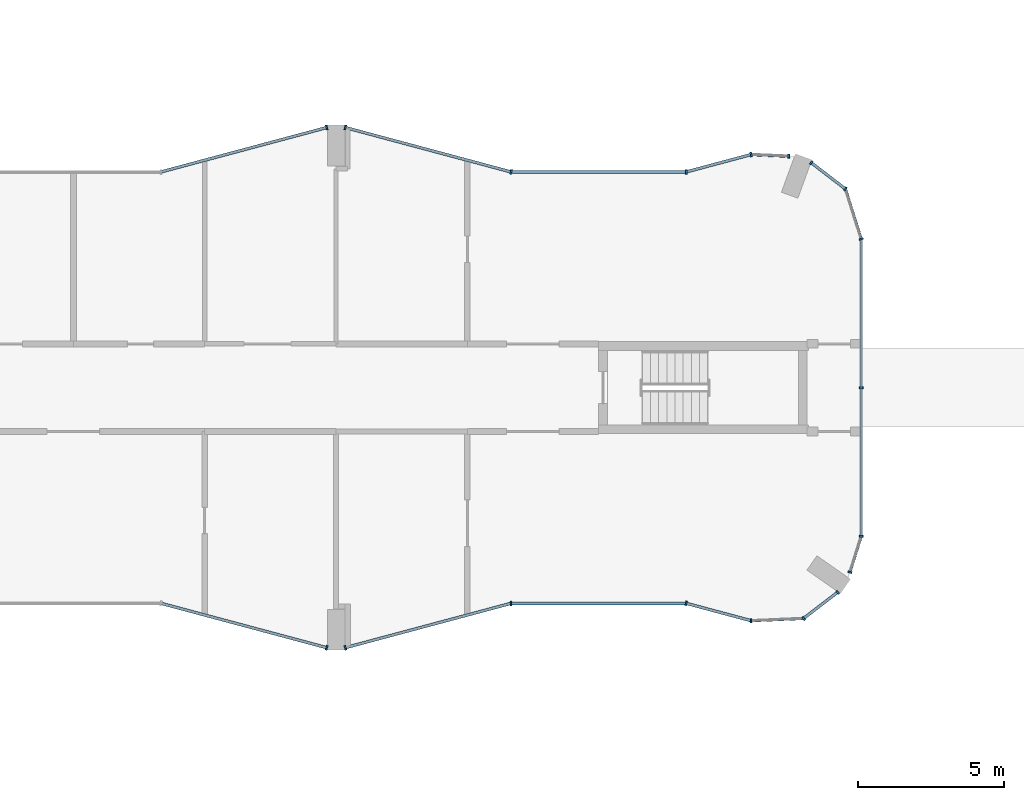
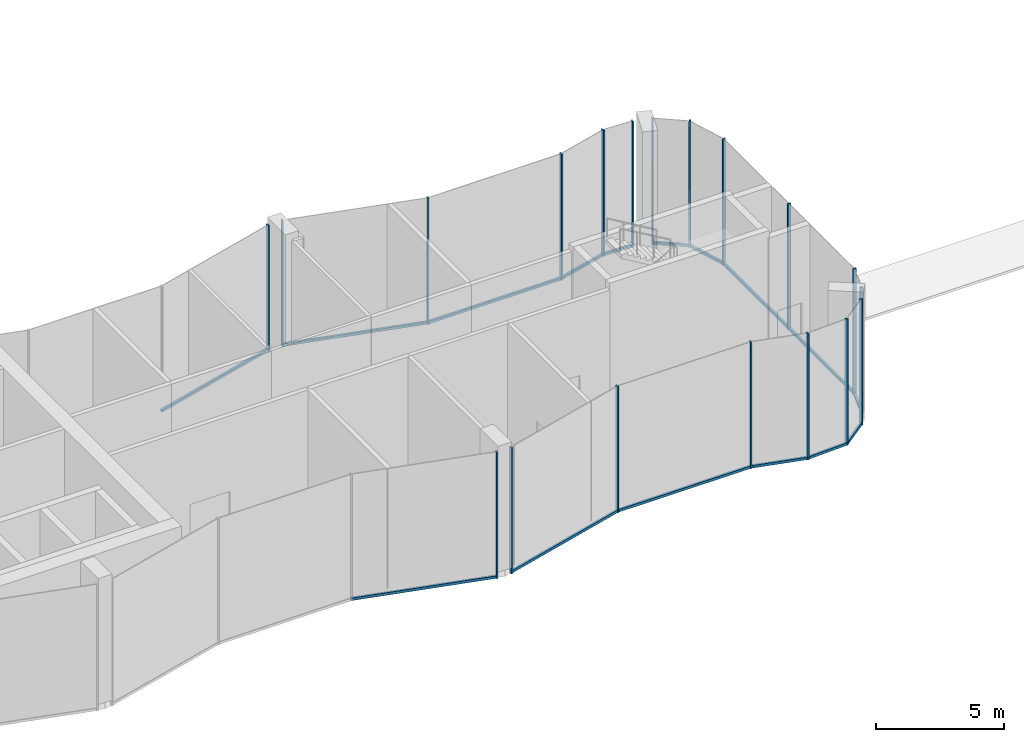
# One storey, part 5 of 19: 34 members, 15 elements without a shape of their own.
"""IFC4 building model written with IfcOpenShell, lengths in metres."""

from ifc_helpers import new_model, si_unit, direction, frame, origin, origin_2d, place, context, subcontext, project, spatial, rectangle, extrude, material, layer, layer_set, material_profile, profile_set, type_object, element, aggregate, save


model = new_model("IFC4")

# Units and contexts
model_context = context("Model", 3, precision=1e-05, world=origin(), true_north=direction((0.0, 1.0)))
body_context = subcontext(model_context, "Body", "Model", "MODEL_VIEW")
ifc_project = project(units=[si_unit("LENGTHUNIT", "METRE"), si_unit("AREAUNIT", "SQUARE_METRE"), si_unit("VOLUMEUNIT", "CUBIC_METRE"), si_unit("PLANEANGLEUNIT", "RADIAN"), si_unit("MASSUNIT", "GRAM", prefix="KILO")], contexts=[model_context])

# Site, building, storey
site_placement = place(None, origin())
site = spatial("IfcSite", under=ifc_project, at=site_placement, CompositionType="ELEMENT")
building_placement = place(site_placement, origin())
building = spatial("IfcBuilding", under=site, at=building_placement, Name="Plateau Cross Towers", CompositionType="ELEMENT")
storey_placement = place(building_placement, frame((0.0, 0.0, 128.60009765625)))
storey = spatial("IfcBuildingStorey", under=building, at=storey_placement, Name="L33", CompositionType="ELEMENT", Elevation=128.60009765625)

# Curtain wall, member
ifc_material_1 = material(Name="Dark low-iron glass", Category="glass")
ifc_layer_1 = layer(ifc_material_1, 0.239990234375)
ifc_layer_set_1 = layer_set([ifc_layer_1], Name="Dark low-iron glass")
curtain_wall_type_1 = type_object("IfcCurtainWallType", Name="Curtain wall flush unitised CW-B", PredefinedType="NOTDEFINED", material=ifc_layer_set_1)
curtain_wall_1_placement = place(storey_placement, origin())
curtain_wall_1 = element("IfcCurtainWall", 1, at=curtain_wall_1_placement, inside=storey, type_object=curtain_wall_type_1, Name="ENV/A/L33/A502_10", PredefinedType="NOTDEFINED")
ifc_material_2 = material(Name="Black anodised aluminium", Category="aluminium")
ifc_material_profile_1 = material_profile(ifc_material_2, rectangle(XDim=0.06005859375, YDim=0.139892578125, at=origin_2d()), Name="MULLION 60x140")
ifc_profile_set_1 = profile_set([ifc_material_profile_1], Name="Black anodised aluminium")
member_type_1 = type_object("IfcMemberType", Name="Mullion 60x140 flush unitised", PredefinedType="MULLION", material=ifc_profile_set_1)
member_1_placement = place(storey_placement, frame((50.223876953125, 1.01123046875, -0.300048828125), z_axis=(0.0, 0.0, 1.0), x_axis=(0.999043701491, 0.043722791671, 0.0)))
member_1 = element("IfcMember", 2, at=member_1_placement, type_object=member_type_1, Name="CW-B mullion 1", PredefinedType="MULLION", context=body_context, shape_type="SweptSolid", body=[
    extrude(rectangle(XDim=0.06005859375, YDim=0.139892578125, at=origin_2d()), origin(), (0.0, 0.0, 1.0), 6.0),
])

# Curtain wall, members
curtain_wall_2_placement = place(storey_placement, origin())
curtain_wall_2 = element("IfcCurtainWall", 3, at=curtain_wall_2_placement, inside=storey, type_object=curtain_wall_type_1, Name="ENV/A/L33/A520_11", PredefinedType="NOTDEFINED")
member_2_placement = place(storey_placement, frame((52.0263671875, 1.090087890625, -0.300048828125), z_axis=(0.0, 0.0, 1.0), x_axis=(0.793315514529, 0.608810721331, 0.0)))
member_2 = element("IfcMember", 4, at=member_2_placement, type_object=member_type_1, Name="CW-B mullion 1", PredefinedType="MULLION", context=body_context, shape_type="SweptSolid", body=[
    extrude(rectangle(XDim=0.06005859375, YDim=0.139892578125, at=origin_2d()), origin(), (0.0, 0.0, 1.0), 6.0),
])
member_3_placement = place(storey_placement, frame((53.193603515625, 1.986083984375, -0.300048828125), z_axis=(0.0, 0.0, 1.0), x_axis=(0.793315514529, 0.608810721331, 0.0)))
member_3 = element("IfcMember", 5, at=member_3_placement, type_object=member_type_1, Name="CW-B mullion 2", PredefinedType="MULLION", context=body_context, shape_type="SweptSolid", body=[
    extrude(rectangle(XDim=0.06005859375, YDim=0.139892578125, at=origin_2d()), origin(), (0.0, 0.0, 1.0), 6.0),
])

# Curtain wall, member
curtain_wall_3_placement = place(storey_placement, origin())
curtain_wall_3 = element("IfcCurtainWall", 6, at=curtain_wall_3_placement, inside=storey, type_object=curtain_wall_type_1, Name="ENV/A/L33/A536_27", PredefinedType="NOTDEFINED")
member_4_placement = place(storey_placement, frame((53.611083984375, 2.67529296875, -0.300048828125), z_axis=(0.0, 0.0, 1.0), x_axis=(0.300686174994, 0.95372313811, 0.0)))
member_4 = element("IfcMember", 7, at=member_4_placement, type_object=member_type_1, Name="CW-B mullion 1", PredefinedType="MULLION", context=body_context, shape_type="SweptSolid", body=[
    extrude(rectangle(XDim=0.06005859375, YDim=0.139892578125, at=origin_2d()), origin(), (0.0, 0.0, 1.0), 6.0),
])

# Curtain wall, members
curtain_wall_4_placement = place(storey_placement, origin())
curtain_wall_4 = element("IfcCurtainWall", 8, at=curtain_wall_4_placement, inside=storey, type_object=curtain_wall_type_1, Name="ENV/A/L33/A540_39", PredefinedType="NOTDEFINED")
member_5_placement = place(storey_placement, frame((54.0, 3.9091796875, -0.300048828125), z_axis=(0.0, 0.0, 1.0), x_axis=(0.0, 1.0, 0.0)))
member_5 = element("IfcMember", 9, at=member_5_placement, type_object=member_type_1, Name="CW-B mullion 1", PredefinedType="MULLION", context=body_context, shape_type="SweptSolid", body=[
    extrude(rectangle(XDim=0.06005859375, YDim=0.139892578125, at=origin_2d()), origin(), (0.0, 0.0, 1.0), 6.0),
])
member_6_placement = place(storey_placement, frame((54.0, 9.0, -0.300048828125), z_axis=(0.0, 0.0, 1.0), x_axis=(0.0, 1.0, 0.0)))
member_6 = element("IfcMember", 10, at=member_6_placement, type_object=member_type_1, Name="CW-B mullion 2", PredefinedType="MULLION", context=body_context, shape_type="SweptSolid", body=[
    extrude(rectangle(XDim=0.06005859375, YDim=0.139892578125, at=origin_2d()), origin(), (0.0, 0.0, 1.0), 6.0),
])

# Curtain wall, member
curtain_wall_5_placement = place(storey_placement, origin())
curtain_wall_5 = element("IfcCurtainWall", 11, at=curtain_wall_5_placement, inside=storey, type_object=curtain_wall_type_1, Name="ENV/A/L33/A540_141", PredefinedType="NOTDEFINED")
member_7_placement = place(storey_placement, frame((54.0, 14.0908203125, -0.300048828125), z_axis=(0.0, 0.0, 1.0), x_axis=(-0.300686174994, 0.95372313811, 0.0)))
member_7 = element("IfcMember", 12, at=member_7_placement, type_object=member_type_1, Name="CW-B mullion 1", PredefinedType="MULLION", context=body_context, shape_type="SweptSolid", body=[
    extrude(rectangle(XDim=0.06005859375, YDim=0.139892578125, at=origin_2d()), origin(), (0.0, 0.0, 1.0), 6.0),
])

# Curtain wall, members
curtain_wall_6_placement = place(storey_placement, origin())
curtain_wall_6 = element("IfcCurtainWall", 13, at=curtain_wall_6_placement, inside=storey, type_object=curtain_wall_type_1, Name="ENV/A/L33/A535_158", PredefinedType="NOTDEFINED")
member_8_placement = place(storey_placement, frame((53.45751953125, 15.8115234375, -0.300048828125), z_axis=(0.0, 0.0, 1.0), x_axis=(-0.793315514529, 0.608810721331, 0.0)))
member_8 = element("IfcMember", 14, at=member_8_placement, type_object=member_type_1, Name="CW-B mullion 1", PredefinedType="MULLION", context=body_context, shape_type="SweptSolid", body=[
    extrude(rectangle(XDim=0.06005859375, YDim=0.139892578125, at=origin_2d()), origin(), (0.0, 0.0, 1.0), 6.0),
])
member_9_placement = place(storey_placement, frame((52.290283203125, 16.707275390625, -0.300048828125), z_axis=(0.0, 0.0, 1.0), x_axis=(-0.793315514529, 0.608810721331, 0.0)))
member_9 = element("IfcMember", 15, at=member_9_placement, type_object=member_type_1, Name="CW-B mullion 2", PredefinedType="MULLION", context=body_context, shape_type="SweptSolid", body=[
    extrude(rectangle(XDim=0.06005859375, YDim=0.139892578125, at=origin_2d()), origin(), (0.0, 0.0, 1.0), 6.0),
])

# Curtain wall, member
curtain_wall_7_placement = place(storey_placement, origin())
curtain_wall_7 = element("IfcCurtainWall", 16, at=curtain_wall_7_placement, inside=storey, type_object=curtain_wall_type_1, Name="ENV/A/L33/A515_169", PredefinedType="NOTDEFINED")
member_10_placement = place(storey_placement, frame((51.516357421875, 16.93212890625, -0.300048828125), z_axis=(0.0, 0.0, 1.0), x_axis=(-0.999043701491, 0.043722791671, 0.0)))
member_10 = element("IfcMember", 17, at=member_10_placement, type_object=member_type_1, Name="CW-B mullion 1", PredefinedType="MULLION", context=body_context, shape_type="SweptSolid", body=[
    extrude(rectangle(XDim=0.06005859375, YDim=0.139892578125, at=origin_2d()), origin(), (0.0, 0.0, 1.0), 6.0),
])

ifc_layer_2 = layer(ifc_material_1, 0.260009765625)
ifc_layer_set_2 = layer_set([ifc_layer_2], Name="Dark low-iron glass")
curtain_wall_type_2 = type_object("IfcCurtainWallType", Name="Curtain wall fluted unitised CW-A", PredefinedType="NOTDEFINED", material=ifc_layer_set_2)
curtain_wall_8_placement = place(storey_placement, origin())
curtain_wall_8 = element("IfcCurtainWall", 18, at=curtain_wall_8_placement, inside=storey, type_object=curtain_wall_type_2, Name="ENV/A/L33/A300_16", PredefinedType="NOTDEFINED")
ifc_material_profile_2 = material_profile(ifc_material_2, rectangle(XDim=0.06005859375, YDim=0.159912109375, at=origin_2d()), Name="MULLION 60x160")
ifc_profile_set_2 = profile_set([ifc_material_profile_2], Name="Black anodised aluminium")
member_type_2 = type_object("IfcMemberType", Name="Mullion 60x160 fluted unitised", PredefinedType="MULLION", material=ifc_profile_set_2)
member_11_placement = place(storey_placement, frame((35.68212890625, 0.085205078125, -0.300048828125), z_axis=(0.0, 0.0, 1.0), x_axis=(0.965957983404, -0.258699003279, 0.0)))
member_11 = element("IfcMember", 19, at=member_11_placement, type_object=member_type_2, Name="CW-A mullion 2", PredefinedType="MULLION", context=body_context, shape_type="SweptSolid", body=[
    extrude(rectangle(XDim=0.06005859375, YDim=0.159912109375, at=origin_2d()), origin(), (0.0, 0.0, 1.0), 6.0),
])

curtain_wall_9_placement = place(storey_placement, origin())
curtain_wall_9 = element("IfcCurtainWall", 20, at=curtain_wall_9_placement, inside=storey, type_object=curtain_wall_type_2, Name="ENV/A/L33/A363_1", PredefinedType="NOTDEFINED")
member_12_placement = place(storey_placement, frame((36.31787109375, 0.085205078125, -0.300048828125), z_axis=(0.0, 0.0, 1.0), x_axis=(0.965957983404, 0.258699003279, 0.0)))
member_12 = element("IfcMember", 21, at=member_12_placement, type_object=member_type_2, Name="CW-A mullion 1", PredefinedType="MULLION", context=body_context, shape_type="SweptSolid", body=[
    extrude(rectangle(XDim=0.06005859375, YDim=0.159912109375, at=origin_2d()), origin(), (0.0, 0.0, 1.0), 6.0),
])

curtain_wall_10_placement = place(storey_placement, origin())
curtain_wall_10 = element("IfcCurtainWall", 22, at=curtain_wall_10_placement, inside=storey, type_object=curtain_wall_type_2, Name="ENV/A/L33/A420_16", PredefinedType="NOTDEFINED")
member_13_placement = place(storey_placement, frame((42.0, 1.60693359375, -0.300048828125), z_axis=(0.0, 0.0, 1.0), x_axis=(1.0, 0.0, 0.0)))
member_13 = element("IfcMember", 23, at=member_13_placement, type_object=member_type_2, Name="CW-A mullion 1", PredefinedType="MULLION", context=body_context, shape_type="SweptSolid", body=[
    extrude(rectangle(XDim=0.06005859375, YDim=0.159912109375, at=origin_2d()), origin(), (0.0, 0.0, 1.0), 6.0),
])

curtain_wall_11_placement = place(storey_placement, origin())
curtain_wall_11 = element("IfcCurtainWall", 24, at=curtain_wall_11_placement, inside=storey, type_object=curtain_wall_type_2, Name="ENV/A/L33/A480_16", PredefinedType="NOTDEFINED")
member_14_placement = place(storey_placement, frame((48.0, 1.60693359375, -0.300048828125), z_axis=(0.0, 0.0, 1.0), x_axis=(0.965957962328, -0.258699081978, 0.0)))
member_14 = element("IfcMember", 25, at=member_14_placement, type_object=member_type_2, Name="CW-A mullion 1", PredefinedType="MULLION", context=body_context, shape_type="SweptSolid", body=[
    extrude(rectangle(XDim=0.06005859375, YDim=0.159912109375, at=origin_2d()), origin(), (0.0, 0.0, 1.0), 6.0),
])

curtain_wall_12_placement = place(storey_placement, origin())
curtain_wall_12 = element("IfcCurtainWall", 26, at=curtain_wall_12_placement, inside=storey, type_object=curtain_wall_type_2, Name="ENV/A/L33/A502_170", PredefinedType="NOTDEFINED")
member_15_placement = place(storey_placement, frame((50.223876953125, 16.98876953125, -0.300048828125), z_axis=(0.0, 0.0, 1.0), x_axis=(-0.965957962328, -0.258699081978, 0.0)))
member_15 = element("IfcMember", 27, at=member_15_placement, type_object=member_type_2, Name="CW-A mullion 1", PredefinedType="MULLION", context=body_context, shape_type="SweptSolid", body=[
    extrude(rectangle(XDim=0.06005859375, YDim=0.159912109375, at=origin_2d()), origin(), (0.0, 0.0, 1.0), 6.0),
])

curtain_wall_13_placement = place(storey_placement, origin())
curtain_wall_13 = element("IfcCurtainWall", 28, at=curtain_wall_13_placement, inside=storey, type_object=curtain_wall_type_2, Name="ENV/A/L33/A480_164", PredefinedType="NOTDEFINED")
member_16_placement = place(storey_placement, frame((48.0, 16.39306640625, -0.300048828125), z_axis=(0.0, 0.0, 1.0), x_axis=(-1.0, 0.0, 0.0)))
member_16 = element("IfcMember", 29, at=member_16_placement, type_object=member_type_2, Name="CW-A mullion 1", PredefinedType="MULLION", context=body_context, shape_type="SweptSolid", body=[
    extrude(rectangle(XDim=0.06005859375, YDim=0.159912109375, at=origin_2d()), origin(), (0.0, 0.0, 1.0), 6.0),
])

# Curtain wall, members
curtain_wall_14_placement = place(storey_placement, origin())
curtain_wall_14 = element("IfcCurtainWall", 30, at=curtain_wall_14_placement, inside=storey, type_object=curtain_wall_type_2, Name="ENV/A/L33/A420_164", PredefinedType="NOTDEFINED")
member_17_placement = place(storey_placement, frame((42.0, 16.39306640625, -0.300048828125), z_axis=(0.0, 0.0, 1.0), x_axis=(-0.965957983404, 0.258699003279, 0.0)))
member_17 = element("IfcMember", 31, at=member_17_placement, type_object=member_type_2, Name="CW-A mullion 1", PredefinedType="MULLION", context=body_context, shape_type="SweptSolid", body=[
    extrude(rectangle(XDim=0.06005859375, YDim=0.159912109375, at=origin_2d()), origin(), (0.0, 0.0, 1.0), 6.0),
])
member_18_placement = place(storey_placement, frame((36.31787109375, 17.914794921875, -0.300048828125), z_axis=(0.0, 0.0, 1.0), x_axis=(-0.965957983404, 0.258699003279, 0.0)))
member_18 = element("IfcMember", 32, at=member_18_placement, type_object=member_type_2, Name="CW-A mullion 2", PredefinedType="MULLION", context=body_context, shape_type="SweptSolid", body=[
    extrude(rectangle(XDim=0.06005859375, YDim=0.159912109375, at=origin_2d()), origin(), (0.0, 0.0, 1.0), 6.0),
])

# Curtain wall, member
curtain_wall_15_placement = place(storey_placement, origin())
curtain_wall_15 = element("IfcCurtainWall", 33, at=curtain_wall_15_placement, inside=storey, type_object=curtain_wall_type_2, Name="ENV/A/L33/A357_179", PredefinedType="NOTDEFINED")
member_19_placement = place(storey_placement, frame((35.68212890625, 17.914794921875, -0.300048828125), z_axis=(0.0, 0.0, 1.0), x_axis=(-0.965957983404, -0.258699003279, 0.0)))
member_19 = element("IfcMember", 34, at=member_19_placement, type_object=member_type_2, Name="CW-A mullion 1", PredefinedType="MULLION", context=body_context, shape_type="SweptSolid", body=[
    extrude(rectangle(XDim=0.06005859375, YDim=0.159912109375, at=origin_2d()), origin(), (0.0, 0.0, 1.0), 6.0),
])

# Member
ifc_material_profile_3 = material_profile(ifc_material_2, rectangle(XDim=0.10009765625, YDim=0.1201171875, at=origin_2d()), Name="TRANSOM 100x120")
ifc_profile_set_3 = profile_set([ifc_material_profile_3], Name="Black anodised aluminium")
member_type_3 = type_object("IfcMemberType", Name="Transom 100x120 flush unitised", PredefinedType="USERDEFINED", material=ifc_profile_set_3)
member_20_placement = place(storey_placement, frame((50.223876953125, 1.01123046875, -0.239990234375), z_axis=(0.999044377355, 0.043707345779, 0.0), x_axis=(-0.043707345779, 0.999044377355, 0.0)))
member_20 = element("IfcMember", 35, at=member_20_placement, type_object=member_type_3, Name="CW-B transom", ObjectType="TRANSOM", PredefinedType="USERDEFINED", context=body_context, shape_type="SweptSolid", body=[
    extrude(rectangle(XDim=0.10009765625, YDim=0.1201171875, at=origin_2d()), origin(), (0.0, 0.0, 1.0), 1.80419921875),
])

aggregate(curtain_wall_1, [member_1, member_20])

member_21_placement = place(storey_placement, frame((52.0263671875, 1.090087890625, -0.239990234375), z_axis=(0.793240368515, 0.608908628415, 0.0), x_axis=(-0.608908628415, 0.793240368515, 0.0)))
member_21 = element("IfcMember", 36, at=member_21_placement, type_object=member_type_3, Name="CW-B transom", ObjectType="TRANSOM", PredefinedType="USERDEFINED", context=body_context, shape_type="SweptSolid", body=[
    extrude(rectangle(XDim=0.10009765625, YDim=0.1201171875, at=origin_2d()), origin(), (0.0, 0.0, 1.0), 1.471435546875),
])

aggregate(curtain_wall_2, [member_2, member_3, member_21])

member_22_placement = place(storey_placement, frame((53.611083984375, 2.67529296875, -0.239990234375), z_axis=(0.300616528216, 0.953745093284, 0.0), x_axis=(-0.953745093284, 0.300616528216, 0.0)))
member_22 = element("IfcMember", 37, at=member_22_placement, type_object=member_type_3, Name="CW-B transom", ObjectType="TRANSOM", PredefinedType="USERDEFINED", context=body_context, shape_type="SweptSolid", body=[
    extrude(rectangle(XDim=0.10009765625, YDim=0.1201171875, at=origin_2d()), origin(), (0.0, 0.0, 1.0), 1.293701171875),
])

aggregate(curtain_wall_3, [member_4, member_22])

member_23_placement = place(storey_placement, frame((54.0, 3.9091796875, -0.239990234375), z_axis=(0.0, 1.0, 0.0), x_axis=(-1.0, 0.0, 0.0)))
member_23 = element("IfcMember", 38, at=member_23_placement, type_object=member_type_3, Name="CW-B transom", ObjectType="TRANSOM", PredefinedType="USERDEFINED", context=body_context, shape_type="SweptSolid", body=[
    extrude(rectangle(XDim=0.10009765625, YDim=0.1201171875, at=origin_2d()), origin(), (0.0, 0.0, 1.0), 10.181640625),
])

aggregate(curtain_wall_4, [member_5, member_6, member_23])

member_24_placement = place(storey_placement, frame((54.0, 14.0908203125, -0.239990234375), z_axis=(-0.30067799945, 0.953725715626, 0.0), x_axis=(-0.953725715626, -0.30067799945, 0.0)))
member_24 = element("IfcMember", 39, at=member_24_placement, type_object=member_type_3, Name="CW-B transom", ObjectType="TRANSOM", PredefinedType="USERDEFINED", context=body_context, shape_type="SweptSolid", body=[
    extrude(rectangle(XDim=0.10009765625, YDim=0.1201171875, at=origin_2d()), origin(), (0.0, 0.0, 1.0), 1.80419921875),
])

aggregate(curtain_wall_5, [member_7, member_24])

member_25_placement = place(storey_placement, frame((53.45751953125, 15.8115234375, -0.239990234375), z_axis=(-0.793320508571, 0.608804213751, 0.0), x_axis=(-0.608804213751, -0.793320508571, 0.0)))
member_25 = element("IfcMember", 40, at=member_25_placement, type_object=member_type_3, Name="CW-B transom", ObjectType="TRANSOM", PredefinedType="USERDEFINED", context=body_context, shape_type="SweptSolid", body=[
    extrude(rectangle(XDim=0.10009765625, YDim=0.1201171875, at=origin_2d()), origin(), (0.0, 0.0, 1.0), 1.471435546875),
])

aggregate(curtain_wall_6, [member_8, member_9, member_25])

member_26_placement = place(storey_placement, frame((51.516357421875, 16.93212890625, -0.239990234375), z_axis=(-0.999041144614, 0.043781175963, 0.0), x_axis=(-0.043781175963, -0.999041144614, 0.0)))
member_26 = element("IfcMember", 41, at=member_26_placement, type_object=member_type_3, Name="CW-B transom", ObjectType="TRANSOM", PredefinedType="USERDEFINED", context=body_context, shape_type="SweptSolid", body=[
    extrude(rectangle(XDim=0.10009765625, YDim=0.1201171875, at=origin_2d()), origin(), (0.0, 0.0, 1.0), 1.293701171875),
])

aggregate(curtain_wall_7, [member_10, member_26])

ifc_material_profile_4 = material_profile(ifc_material_2, rectangle(XDim=0.10009765625, YDim=0.1201171875, at=origin_2d()), Name="TRANSOM 100x120")
ifc_profile_set_4 = profile_set([ifc_material_profile_4], Name="Black anodised aluminium")
member_type_4 = type_object("IfcMemberType", Name="Transom 100x120 fluted unitised", PredefinedType="USERDEFINED", material=ifc_profile_set_4)
member_27_placement = place(storey_placement, frame((30.0, 1.60693359375, -0.239990234375), z_axis=(0.965959534794, -0.258693210465, 0.0), x_axis=(0.258693210465, 0.965959534794, 0.0)))
member_27 = element("IfcMember", 42, at=member_27_placement, type_object=member_type_4, Name="CW-A transom", ObjectType="TRANSOM", PredefinedType="USERDEFINED", context=body_context, shape_type="SweptSolid", body=[
    extrude(rectangle(XDim=0.10009765625, YDim=0.1201171875, at=origin_2d()), origin(), (0.0, 0.0, 1.0), 5.88232421875),
])

aggregate(curtain_wall_8, [member_11, member_27])

member_28_placement = place(storey_placement, frame((36.31787109375, 0.085205078125, -0.239990234375), z_axis=(0.965959534794, 0.258693210465, 0.0), x_axis=(-0.258693210465, 0.965959534794, 0.0)))
member_28 = element("IfcMember", 43, at=member_28_placement, type_object=member_type_4, Name="CW-A transom", ObjectType="TRANSOM", PredefinedType="USERDEFINED", context=body_context, shape_type="SweptSolid", body=[
    extrude(rectangle(XDim=0.10009765625, YDim=0.1201171875, at=origin_2d()), origin(), (0.0, 0.0, 1.0), 5.88232421875),
])

aggregate(curtain_wall_9, [member_12, member_28])

member_29_placement = place(storey_placement, frame((42.0, 1.60693359375, -0.239990234375), z_axis=(1.0, 0.0, 0.0), x_axis=(0.0, 1.0, 0.0)))
member_29 = element("IfcMember", 44, at=member_29_placement, type_object=member_type_4, Name="CW-A transom", ObjectType="TRANSOM", PredefinedType="USERDEFINED", context=body_context, shape_type="SweptSolid", body=[
    extrude(rectangle(XDim=0.10009765625, YDim=0.1201171875, at=origin_2d()), origin(), (0.0, 0.0, 1.0), 6.0),
])

aggregate(curtain_wall_10, [member_13, member_29])

member_30_placement = place(storey_placement, frame((48.0, 1.60693359375, -0.239990234375), z_axis=(0.965945685136, -0.258744919501, 0.0), x_axis=(0.258744919501, 0.965945685136, 0.0)))
member_30 = element("IfcMember", 45, at=member_30_placement, type_object=member_type_4, Name="CW-A transom", ObjectType="TRANSOM", PredefinedType="USERDEFINED", context=body_context, shape_type="SweptSolid", body=[
    extrude(rectangle(XDim=0.10009765625, YDim=0.1201171875, at=origin_2d()), origin(), (0.0, 0.0, 1.0), 2.30224609375),
])

aggregate(curtain_wall_11, [member_14, member_30])

member_31_placement = place(storey_placement, frame((50.223876953125, 16.98876953125, -0.239990234375), z_axis=(-0.965945685136, -0.258744919501, 0.0), x_axis=(0.258744919501, -0.965945685136, 0.0)))
member_31 = element("IfcMember", 46, at=member_31_placement, type_object=member_type_4, Name="CW-A transom", ObjectType="TRANSOM", PredefinedType="USERDEFINED", context=body_context, shape_type="SweptSolid", body=[
    extrude(rectangle(XDim=0.10009765625, YDim=0.1201171875, at=origin_2d()), origin(), (0.0, 0.0, 1.0), 2.30224609375),
])

aggregate(curtain_wall_12, [member_15, member_31])

member_32_placement = place(storey_placement, frame((48.0, 16.39306640625, -0.239990234375), z_axis=(-1.0, 0.0, 0.0), x_axis=(0.0, -1.0, 0.0)))
member_32 = element("IfcMember", 47, at=member_32_placement, type_object=member_type_4, Name="CW-A transom", ObjectType="TRANSOM", PredefinedType="USERDEFINED", context=body_context, shape_type="SweptSolid", body=[
    extrude(rectangle(XDim=0.10009765625, YDim=0.1201171875, at=origin_2d()), origin(), (0.0, 0.0, 1.0), 6.0),
])

aggregate(curtain_wall_13, [member_16, member_32])

member_33_placement = place(storey_placement, frame((42.0, 16.39306640625, -0.239990234375), z_axis=(-0.965959534794, 0.258693210465, 0.0), x_axis=(-0.258693210465, -0.965959534794, 0.0)))
member_33 = element("IfcMember", 48, at=member_33_placement, type_object=member_type_4, Name="CW-A transom", ObjectType="TRANSOM", PredefinedType="USERDEFINED", context=body_context, shape_type="SweptSolid", body=[
    extrude(rectangle(XDim=0.10009765625, YDim=0.1201171875, at=origin_2d()), origin(), (0.0, 0.0, 1.0), 5.88232421875),
])

aggregate(curtain_wall_14, [member_17, member_18, member_33])

member_34_placement = place(storey_placement, frame((35.68212890625, 17.914794921875, -0.239990234375), z_axis=(-0.965959534794, -0.258693210465, 0.0), x_axis=(0.258693210465, -0.965959534794, 0.0)))
member_34 = element("IfcMember", 49, at=member_34_placement, type_object=member_type_4, Name="CW-A transom", ObjectType="TRANSOM", PredefinedType="USERDEFINED", context=body_context, shape_type="SweptSolid", body=[
    extrude(rectangle(XDim=0.10009765625, YDim=0.1201171875, at=origin_2d()), origin(), (0.0, 0.0, 1.0), 5.88232421875),
])

aggregate(curtain_wall_15, [member_19, member_34])

save(model, "model.ifc")
